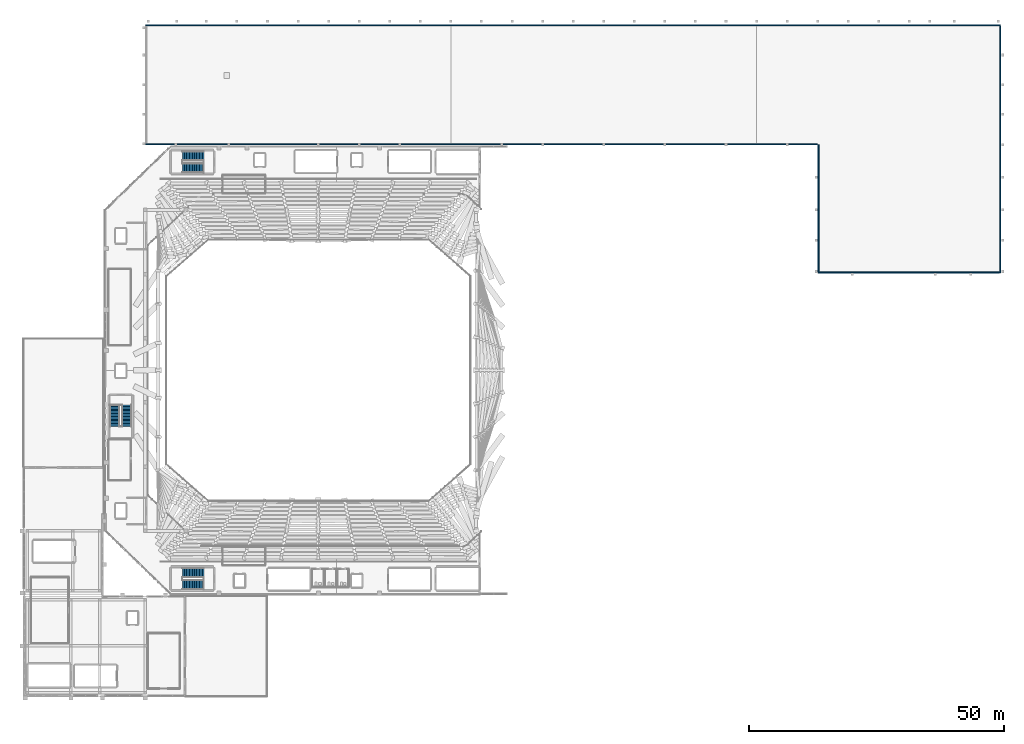
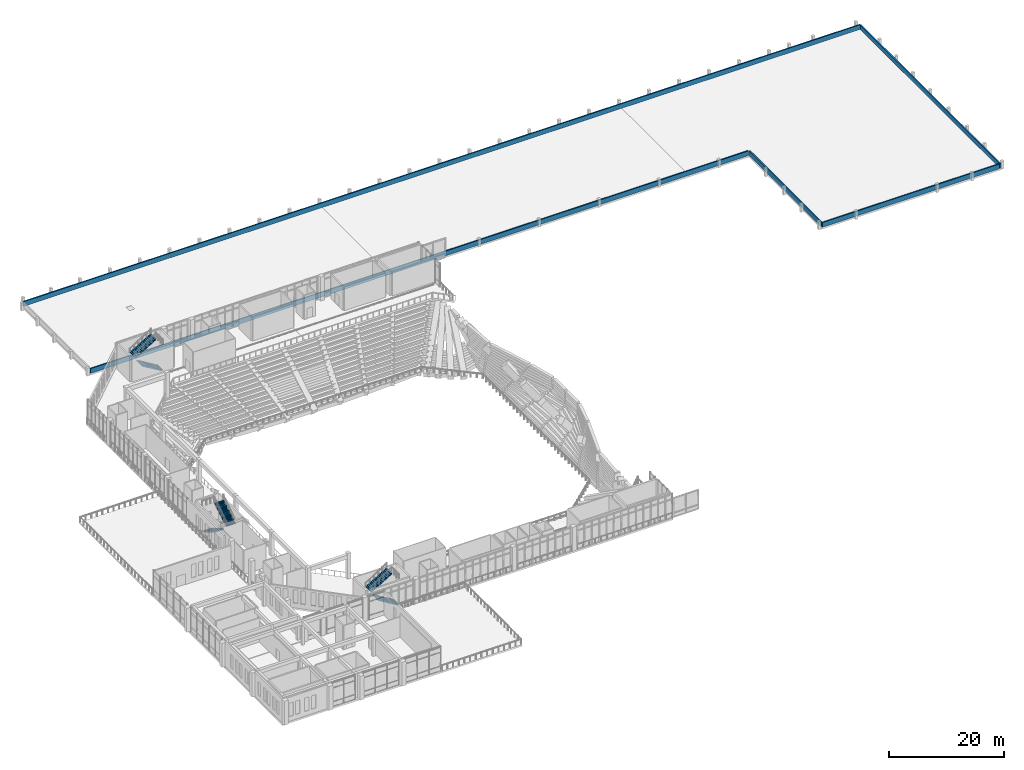
# One storey, part 49 of 55: 6 stair flights, 5 walls, 3 elements without a shape of their own.
"""IFC4 building model written with IfcOpenShell, lengths in metres."""

from ifc_helpers import new_model, si_unit, derived_unit, direction, frame, frame_2d, origin, place, context, subcontext, project, spatial, polyline, rectangle, outline, extrude, material, layer, layer_set, type_object, element, aggregate, save


model = new_model("IFC4")

# Units and contexts
model_context = context("Model", 3, precision=1e-05, world=origin(), true_north=direction((0.0, 1.0)))
body_context = subcontext(model_context, "Body", "Model", "MODEL_VIEW")
ifc_project = project(units=[si_unit("LENGTHUNIT", "METRE"), si_unit("AREAUNIT", "SQUARE_METRE"), si_unit("VOLUMEUNIT", "CUBIC_METRE"), si_unit("PLANEANGLEUNIT", "RADIAN"), si_unit("MASSUNIT", "GRAM", prefix="KILO"), derived_unit("THERMALTRANSMITTANCEUNIT", [(si_unit("MASSUNIT", "GRAM", prefix="KILO"), 1), (si_unit("TIMEUNIT", "SECOND"), -3), (si_unit("THERMODYNAMICTEMPERATUREUNIT", "KELVIN"), -1)])], contexts=[model_context])

# Site, building, storey
site_placement = place(None, origin())
site = spatial("IfcSite", under=ifc_project, at=site_placement, CompositionType="ELEMENT")
building_placement = place(site_placement, origin())
building = spatial("IfcBuilding", under=site, at=building_placement, Name="Valcora Ridge Arena", CompositionType="ELEMENT")
storey_placement = place(building_placement, frame((0.0, 0.0, 21.0)))
storey = spatial("IfcBuildingStorey", under=building, at=storey_placement, Name="L04", CompositionType="ELEMENT", Elevation=21.0)

# Walls
ifc_material_1 = material(Name="Bush-hammered Andean travertine on concrete backup C40/50", Category="masonry")
ifc_layer = layer(ifc_material_1, 0.239990234375, Name="Bush-hammered Andean travertine on concrete backup C40/50")
ifc_layer_set = layer_set([ifc_layer], Name="Bush-hammered Andean travertine on concrete backup C40/50")
wall_type = type_object("IfcWallType", Name="TY-WALL-WP-PARA-240", PredefinedType="PARAPET", material=ifc_layer_set)
wall_1_placement = place(storey_placement, frame((24.14990234375, 131.85009765625, 0.0), z_axis=(0.0, 0.0, 1.0), x_axis=(1.0, 0.0, 0.0)))
element("IfcWall", 1, at=wall_1_placement, inside=storey, type_object=wall_type, Name="WP-PARA-240 WAL-PP-0012", PredefinedType="PARAPET", context=body_context, shape_type="SweptSolid", body=[
    extrude(rectangle(XDim=167.7001953125, YDim=0.239990234375, at=frame_2d((83.85009765625, 0.0))), origin(), (0.0, 0.0, 1.0), 1.0),
])
wall_2_placement = place(storey_placement, frame((191.85009765625, 83.300048828125, 0.0), z_axis=(0.0, 0.0, 1.0), x_axis=(0.0, 1.0, 0.0)))
element("IfcWall", 2, at=wall_2_placement, inside=storey, type_object=wall_type, Name="WP-PARA-240 WAL-PP-0013", PredefinedType="PARAPET", context=body_context, shape_type="SweptSolid", body=[
    extrude(rectangle(XDim=48.349853515625, YDim=0.239990234375, at=frame_2d((24.1748046875, 0.0))), origin(), (0.0, 0.0, 1.0), 1.0),
])
wall_3_placement = place(storey_placement, frame((156.14990234375, 83.300048828125, 0.0), z_axis=(0.0, 0.0, 1.0), x_axis=(1.0, 0.0, 0.0)))
element("IfcWall", 3, at=wall_3_placement, inside=storey, type_object=wall_type, Name="WP-PARA-240 WAL-PP-0014", PredefinedType="PARAPET", context=body_context, shape_type="SweptSolid", body=[
    extrude(rectangle(XDim=35.5, YDim=0.239990234375, at=frame_2d((17.75, 0.0))), origin(), (0.0, 0.0, 1.0), 1.0),
])
wall_4_placement = place(storey_placement, frame((156.14990234375, 83.5, 0.0), z_axis=(0.0, 0.0, 1.0), x_axis=(0.0, 1.0, 0.0)))
element("IfcWall", 4, at=wall_4_placement, inside=storey, type_object=wall_type, Name="WP-PARA-240 WAL-PP-0015", PredefinedType="PARAPET", context=body_context, shape_type="SweptSolid", body=[
    extrude(rectangle(XDim=24.85009765625, YDim=0.239990234375, at=frame_2d((12.425048828125, 0.0))), origin(), (0.0, 0.0, 1.0), 1.0),
])
wall_5_placement = place(storey_placement, frame((24.14990234375, 108.5, 0.0), z_axis=(0.0, 0.0, 1.0), x_axis=(1.0, 0.0, 0.0)))
element("IfcWall", 5, at=wall_5_placement, inside=storey, type_object=wall_type, Name="WP-PARA-240 WAL-PP-0016", PredefinedType="PARAPET", context=body_context, shape_type="SweptSolid", body=[
    extrude(rectangle(XDim=131.800048828125, YDim=0.239990234375, at=frame_2d((65.89990234375, 0.0))), origin(), (0.0, 0.0, 1.0), 1.0),
])

# Stair, stair flights
ifc_material_2 = material(Name="Concrete C40/50", Category="concrete")
stair_type_1 = type_object("IfcStairType", Name="TY-STAIR-ST01-54", PredefinedType="HALF_TURN_STAIR", material=ifc_material_2)
stair_1_placement = place(storey_placement, origin())
stair_1 = element("IfcStair", 6, at=stair_1_placement, inside=storey, type_object=stair_type_1, Name="ST01-54 STR-CR-0006", PredefinedType="HALF_TURN_STAIR")
stair_flight_type_1 = type_object("IfcStairFlightType", Name="TY-FLIGHT-ST01-54", PredefinedType="STRAIGHT", material=ifc_material_2)
stair_flight_1_placement = place(storey_placement, frame((35.489990234375, 22.0048828125, 0.0), z_axis=(0.0, 0.0, 1.0), x_axis=(-1.0, 0.0, 0.0)))
stair_flight_1 = element("IfcStairFlight", 7, at=stair_flight_1_placement, type_object=stair_flight_type_1, Name="ST01-54 flight 1", NumberOfRisers=16, NumberOfTreads=15, PredefinedType="STRAIGHT", RiserHeight=0.16875, TreadLength=0.28, context=body_context, shape_type="SweptSolid", body=[
    extrude(outline(polyline([(0.0, 0.0), (0.0, 0.168701171875), (0.280029296875, 0.168701171875), (0.280029296875, 0.33740234375), (0.56005859375, 0.33740234375), (0.56005859375, 0.50634765625), (0.840087890625, 0.50634765625), (0.840087890625, 0.675048828125), (1.1201171875, 0.675048828125), (1.1201171875, 0.84375), (1.39990234375, 0.84375), (1.39990234375, 1.012451171875), (1.679931640625, 1.012451171875), (1.679931640625, 1.18115234375), (1.9599609375, 1.18115234375), (1.9599609375, 1.35009765625), (2.239990234375, 1.35009765625), (2.239990234375, 1.518798828125), (2.52001953125, 1.518798828125), (2.52001953125, 1.6875), (2.800048828125, 1.6875), (2.800048828125, 1.856201171875), (3.080078125, 1.856201171875), (3.080078125, 2.02490234375), (3.360107421875, 2.02490234375), (3.360107421875, 2.19384765625), (3.639892578125, 2.19384765625), (3.639892578125, 2.362548828125), (3.919921875, 2.362548828125), (3.919921875, 2.53125), (4.199951171875, 2.53125), (4.199951171875, 2.699951171875), (4.199951171875, 2.3212890625), (0.3486328125, 0.0), (0.0, 0.0)])), frame((0.0, 0.925048828125, 0.0), z_axis=(0.0, -1.0, 0.0), x_axis=(1.0, 0.0, 0.0)), (0.0, 0.0, 1.0), 1.85009765625),
])
stair_flight_2_placement = place(storey_placement, frame((31.2900390625, 24.39501953125, 2.699951171875), z_axis=(0.0, 0.0, 1.0), x_axis=(1.0, 0.0, 0.0)))
stair_flight_2 = element("IfcStairFlight", 8, at=stair_flight_2_placement, type_object=stair_flight_type_1, Name="ST01-54 flight 2", NumberOfRisers=16, NumberOfTreads=15, PredefinedType="STRAIGHT", RiserHeight=0.16875, TreadLength=0.28, context=body_context, shape_type="SweptSolid", body=[
    extrude(outline(polyline([(0.0, 0.0), (0.0, 0.168701171875), (0.280029296875, 0.168701171875), (0.280029296875, 0.33740234375), (0.56005859375, 0.33740234375), (0.56005859375, 0.50634765625), (0.840087890625, 0.50634765625), (0.840087890625, 0.675048828125), (1.1201171875, 0.675048828125), (1.1201171875, 0.84375), (1.39990234375, 0.84375), (1.39990234375, 1.012451171875), (1.679931640625, 1.012451171875), (1.679931640625, 1.18115234375), (1.9599609375, 1.18115234375), (1.9599609375, 1.35009765625), (2.239990234375, 1.35009765625), (2.239990234375, 1.518798828125), (2.52001953125, 1.518798828125), (2.52001953125, 1.6875), (2.800048828125, 1.6875), (2.800048828125, 1.856201171875), (3.080078125, 1.856201171875), (3.080078125, 2.02490234375), (3.360107421875, 2.02490234375), (3.360107421875, 2.19384765625), (3.639892578125, 2.19384765625), (3.639892578125, 2.362548828125), (3.919921875, 2.362548828125), (3.919921875, 2.53125), (4.199951171875, 2.53125), (4.199951171875, 2.699951171875), (4.199951171875, 2.3212890625), (0.3486328125, 0.0), (0.0, 0.0)])), frame((0.0, 0.925048828125, 0.0), z_axis=(0.0, -1.0, 0.0), x_axis=(1.0, 0.0, 0.0)), (0.0, 0.0, 1.0), 1.85009765625),
])
aggregate(stair_1, [stair_flight_1, stair_flight_2])

stair_type_2 = type_object("IfcStairType", Name="TY-STAIR-ST03-54", PredefinedType="HALF_TURN_STAIR", material=ifc_material_2)
stair_2_placement = place(storey_placement, origin())
stair_2 = element("IfcStair", 9, at=stair_2_placement, inside=storey, type_object=stair_type_2, Name="ST03-54 STR-CR-0017", PredefinedType="HALF_TURN_STAIR")
stair_flight_type_2 = type_object("IfcStairFlightType", Name="TY-FLIGHT-ST03-54", PredefinedType="STRAIGHT", material=ifc_material_2)
stair_flight_3_placement = place(storey_placement, frame((35.489990234375, 103.804931640625, 0.0), z_axis=(0.0, 0.0, 1.0), x_axis=(-1.0, 0.0, 0.0)))
stair_flight_3 = element("IfcStairFlight", 10, at=stair_flight_3_placement, type_object=stair_flight_type_2, Name="ST03-54 flight 1", NumberOfRisers=16, NumberOfTreads=15, PredefinedType="STRAIGHT", RiserHeight=0.16875, TreadLength=0.28, context=body_context, shape_type="SweptSolid", body=[
    extrude(outline(polyline([(0.0, 0.0), (0.0, 0.168701171875), (0.280029296875, 0.168701171875), (0.280029296875, 0.33740234375), (0.56005859375, 0.33740234375), (0.56005859375, 0.50634765625), (0.840087890625, 0.50634765625), (0.840087890625, 0.675048828125), (1.1201171875, 0.675048828125), (1.1201171875, 0.84375), (1.39990234375, 0.84375), (1.39990234375, 1.012451171875), (1.679931640625, 1.012451171875), (1.679931640625, 1.18115234375), (1.9599609375, 1.18115234375), (1.9599609375, 1.35009765625), (2.239990234375, 1.35009765625), (2.239990234375, 1.518798828125), (2.52001953125, 1.518798828125), (2.52001953125, 1.6875), (2.800048828125, 1.6875), (2.800048828125, 1.856201171875), (3.080078125, 1.856201171875), (3.080078125, 2.02490234375), (3.360107421875, 2.02490234375), (3.360107421875, 2.19384765625), (3.639892578125, 2.19384765625), (3.639892578125, 2.362548828125), (3.919921875, 2.362548828125), (3.919921875, 2.53125), (4.199951171875, 2.53125), (4.199951171875, 2.699951171875), (4.199951171875, 2.3212890625), (0.3486328125, 0.0), (0.0, 0.0)])), frame((0.0, 0.925048828125, 0.0), z_axis=(0.0, -1.0, 0.0), x_axis=(1.0, 0.0, 0.0)), (0.0, 0.0, 1.0), 1.85009765625),
])
stair_flight_4_placement = place(storey_placement, frame((31.2900390625, 106.195068359375, 2.699951171875), z_axis=(0.0, 0.0, 1.0), x_axis=(1.0, 0.0, 0.0)))
stair_flight_4 = element("IfcStairFlight", 11, at=stair_flight_4_placement, type_object=stair_flight_type_2, Name="ST03-54 flight 2", NumberOfRisers=16, NumberOfTreads=15, PredefinedType="STRAIGHT", RiserHeight=0.16875, TreadLength=0.28, context=body_context, shape_type="SweptSolid", body=[
    extrude(outline(polyline([(0.0, 0.0), (0.0, 0.168701171875), (0.280029296875, 0.168701171875), (0.280029296875, 0.33740234375), (0.56005859375, 0.33740234375), (0.56005859375, 0.50634765625), (0.840087890625, 0.50634765625), (0.840087890625, 0.675048828125), (1.1201171875, 0.675048828125), (1.1201171875, 0.84375), (1.39990234375, 0.84375), (1.39990234375, 1.012451171875), (1.679931640625, 1.012451171875), (1.679931640625, 1.18115234375), (1.9599609375, 1.18115234375), (1.9599609375, 1.35009765625), (2.239990234375, 1.35009765625), (2.239990234375, 1.518798828125), (2.52001953125, 1.518798828125), (2.52001953125, 1.6875), (2.800048828125, 1.6875), (2.800048828125, 1.856201171875), (3.080078125, 1.856201171875), (3.080078125, 2.02490234375), (3.360107421875, 2.02490234375), (3.360107421875, 2.19384765625), (3.639892578125, 2.19384765625), (3.639892578125, 2.362548828125), (3.919921875, 2.362548828125), (3.919921875, 2.53125), (4.199951171875, 2.53125), (4.199951171875, 2.699951171875), (4.199951171875, 2.3212890625), (0.3486328125, 0.0), (0.0, 0.0)])), frame((0.0, 0.925048828125, 0.0), z_axis=(0.0, -1.0, 0.0), x_axis=(1.0, 0.0, 0.0)), (0.0, 0.0, 1.0), 1.85009765625),
])
aggregate(stair_2, [stair_flight_3, stair_flight_4])

stair_type_3 = type_object("IfcStairType", Name="TY-STAIR-ST05-54", PredefinedType="HALF_TURN_STAIR", material=ifc_material_2)
stair_3_placement = place(storey_placement, origin())
stair_3 = element("IfcStair", 12, at=stair_3_placement, inside=storey, type_object=stair_type_3, Name="ST05-54 STR-CR-0028", PredefinedType="HALF_TURN_STAIR")
stair_flight_type_3 = type_object("IfcStairFlightType", Name="TY-FLIGHT-ST05-54", PredefinedType="STRAIGHT", material=ifc_material_2)
stair_flight_5_placement = place(storey_placement, frame((18.0048828125, 57.2900390625, 0.0), z_axis=(0.0, 0.0, 1.0), x_axis=(0.0, -1.0, 0.0)))
stair_flight_5 = element("IfcStairFlight", 13, at=stair_flight_5_placement, type_object=stair_flight_type_3, Name="ST05-54 flight 1", NumberOfRisers=16, NumberOfTreads=15, PredefinedType="STRAIGHT", RiserHeight=0.16875, TreadLength=0.28, context=body_context, shape_type="SweptSolid", body=[
    extrude(outline(polyline([(0.0, 0.0), (0.0, 0.168701171875), (0.280029296875, 0.168701171875), (0.280029296875, 0.33740234375), (0.56005859375, 0.33740234375), (0.56005859375, 0.50634765625), (0.840087890625, 0.50634765625), (0.840087890625, 0.675048828125), (1.1201171875, 0.675048828125), (1.1201171875, 0.84375), (1.39990234375, 0.84375), (1.39990234375, 1.012451171875), (1.679931640625, 1.012451171875), (1.679931640625, 1.18115234375), (1.9599609375, 1.18115234375), (1.9599609375, 1.35009765625), (2.239990234375, 1.35009765625), (2.239990234375, 1.518798828125), (2.52001953125, 1.518798828125), (2.52001953125, 1.6875), (2.800048828125, 1.6875), (2.800048828125, 1.856201171875), (3.080078125, 1.856201171875), (3.080078125, 2.02490234375), (3.360107421875, 2.02490234375), (3.360107421875, 2.19384765625), (3.639892578125, 2.19384765625), (3.639892578125, 2.362548828125), (3.919921875, 2.362548828125), (3.919921875, 2.53125), (4.199951171875, 2.53125), (4.199951171875, 2.699951171875), (4.199951171875, 2.3212890625), (0.3486328125, 0.0), (0.0, 0.0)])), frame((0.0, 0.925048828125, 0.0), z_axis=(0.0, -1.0, 0.0), x_axis=(1.0, 0.0, 0.0)), (0.0, 0.0, 1.0), 1.85009765625),
])
stair_flight_6_placement = place(storey_placement, frame((20.39501953125, 53.090087890625, 2.699951171875), z_axis=(0.0, 0.0, 1.0), x_axis=(0.0, 1.0, 0.0)))
stair_flight_6 = element("IfcStairFlight", 14, at=stair_flight_6_placement, type_object=stair_flight_type_3, Name="ST05-54 flight 2", NumberOfRisers=16, NumberOfTreads=15, PredefinedType="STRAIGHT", RiserHeight=0.16875, TreadLength=0.28, context=body_context, shape_type="SweptSolid", body=[
    extrude(outline(polyline([(0.0, 0.0), (0.0, 0.168701171875), (0.280029296875, 0.168701171875), (0.280029296875, 0.33740234375), (0.56005859375, 0.33740234375), (0.56005859375, 0.50634765625), (0.840087890625, 0.50634765625), (0.840087890625, 0.675048828125), (1.1201171875, 0.675048828125), (1.1201171875, 0.84375), (1.39990234375, 0.84375), (1.39990234375, 1.012451171875), (1.679931640625, 1.012451171875), (1.679931640625, 1.18115234375), (1.9599609375, 1.18115234375), (1.9599609375, 1.35009765625), (2.239990234375, 1.35009765625), (2.239990234375, 1.518798828125), (2.52001953125, 1.518798828125), (2.52001953125, 1.6875), (2.800048828125, 1.6875), (2.800048828125, 1.856201171875), (3.080078125, 1.856201171875), (3.080078125, 2.02490234375), (3.360107421875, 2.02490234375), (3.360107421875, 2.19384765625), (3.639892578125, 2.19384765625), (3.639892578125, 2.362548828125), (3.919921875, 2.362548828125), (3.919921875, 2.53125), (4.199951171875, 2.53125), (4.199951171875, 2.699951171875), (4.199951171875, 2.3212890625), (0.3486328125, 0.0), (0.0, 0.0)])), frame((0.0, 0.925048828125, 0.0), z_axis=(0.0, -1.0, 0.0), x_axis=(1.0, 0.0, 0.0)), (0.0, 0.0, 1.0), 1.85009765625),
])
aggregate(stair_3, [stair_flight_5, stair_flight_6])

save(model, "model.ifc")
